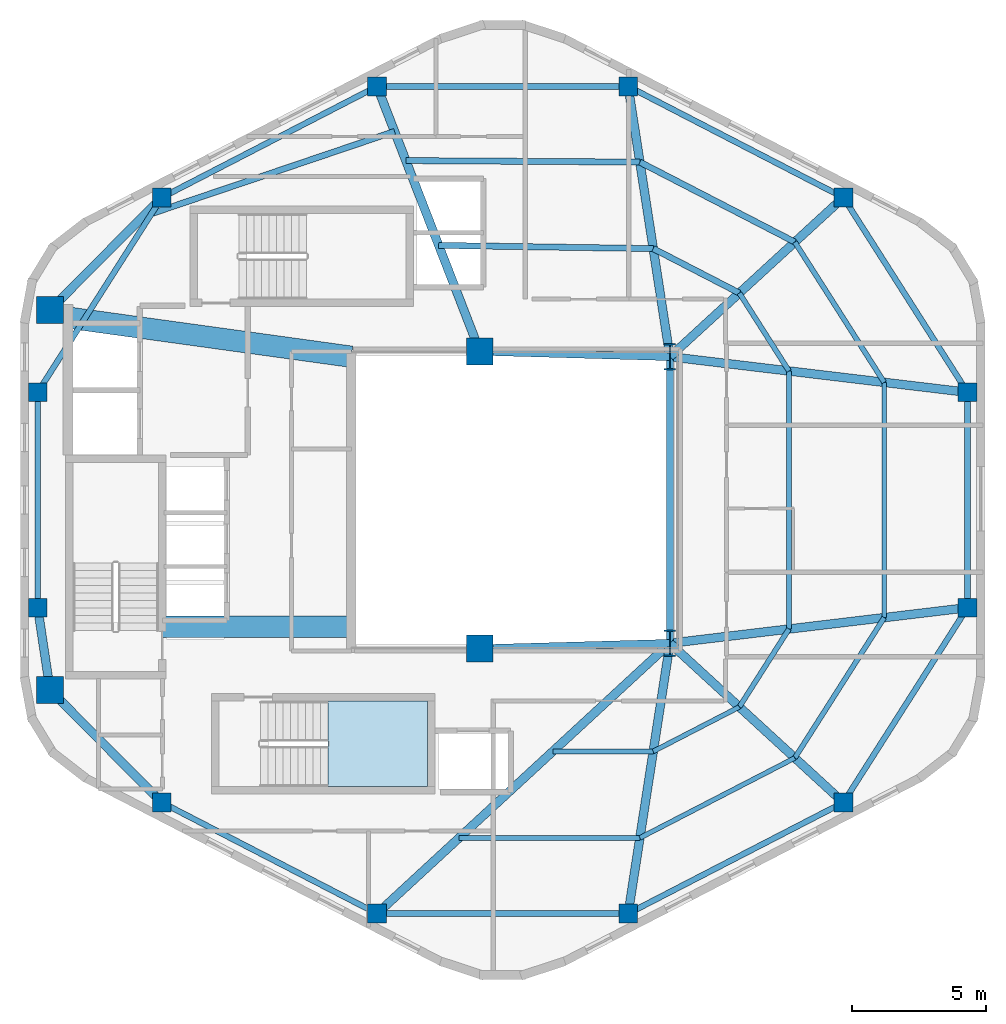
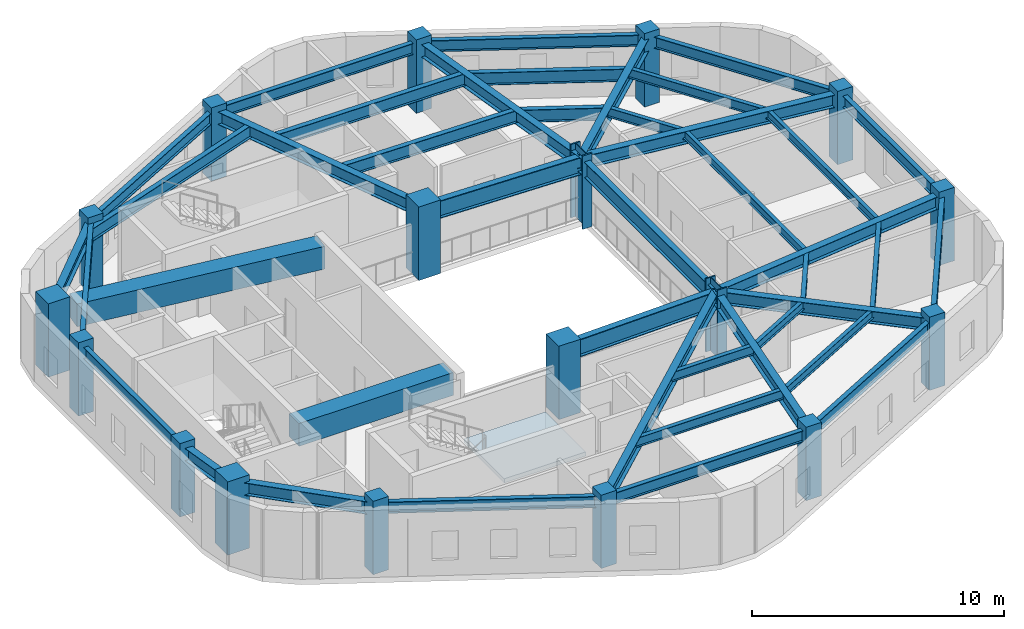
# One storey, part 1 of 6: 42 beams, 18 columns, 1 slab, 1 element without a shape of its own.
"""IFC4 building model written with IfcOpenShell, lengths in metres."""

from ifc_helpers import new_model, si_unit, direction, frame, origin, origin_2d, place, context, subcontext, project, spatial, polyline, rectangle, i_section, outline, extrude, material, layer, layer_set, material_profile, profile_set, type_object, element, aggregate, save


model = new_model("IFC4")

# Units and contexts
model_context = context("Model", 3, precision=1e-05, world=origin(), true_north=direction((0.0, 1.0)))
body_context = subcontext(model_context, "Body", "Model", "MODEL_VIEW")
ifc_project = project(units=[si_unit("LENGTHUNIT", "METRE"), si_unit("AREAUNIT", "SQUARE_METRE"), si_unit("VOLUMEUNIT", "CUBIC_METRE"), si_unit("PLANEANGLEUNIT", "RADIAN"), si_unit("MASSUNIT", "GRAM", prefix="KILO"), si_unit("THERMODYNAMICTEMPERATUREUNIT", "KELVIN"), si_unit("POWERUNIT", "WATT")], contexts=[model_context])

# Site, building, storey
site_placement = place(None, origin())
site = spatial("IfcSite", under=ifc_project, at=site_placement, CompositionType="ELEMENT")
building_placement = place(site_placement, origin())
building = spatial("IfcBuilding", under=site, at=building_placement, Name="Skarre Station Tower", CompositionType="ELEMENT")
storey_placement = place(building_placement, frame((0.0, 0.0, 266.75)))
storey = spatial("IfcBuildingStorey", under=building, at=storey_placement, Name="L73", CompositionType="ELEMENT", Elevation=266.75)

# Columns
ifc_material_1 = material(Name="Concrete C60/75", Category="concrete")
ifc_material_profile_1 = material_profile(ifc_material_1, rectangle(XDim=1.0, YDim=1.0, at=origin_2d()), Name="Concrete C60/75")
ifc_profile_set_1 = profile_set([ifc_material_profile_1], Name="Concrete C60/75")
column_type_1 = type_object("IfcColumnType", Name="RC Structural Column RC-COL-1000X1000", PredefinedType="COLUMN", material=ifc_profile_set_1)
for number, where, z_axis, x_axis, name in (
    (1, (16.300048828125, 16.89990234375, 0.0), (0.0, 0.0, 1.0), (1.0, 0.0, 0.0), "L73 Core Column CC-SW"),
    (2, (16.300048828125, 31.10009765625, 0.0), (0.0, 0.0, 1.0), (1.0, 0.0, 0.0), "L73 Core Column CC-NW"),
    (3, (32.35009765625, 18.449951171875, 0.0), (0.0, 0.0, 1.0), (1.0, 0.0, 0.0), "L73 Core Column CC-SE"),
    (4, (32.35009765625, 29.550048828125, 0.0), (0.0, 0.0, 1.0), (1.0, 0.0, 0.0), "L73 Core Column CC-NE"),
):
    element("IfcColumn", number, at=place(storey_placement, frame(where, z_axis=z_axis, x_axis=x_axis)), inside=storey, type_object=column_type_1, Name=name, PredefinedType="COLUMN", context=body_context, shape_type="SweptSolid", body=[
        extrude(rectangle(XDim=1.0, YDim=1.0, at=origin_2d()), origin(), (0.0, 0.0, 1.0), 3.550048828125),
    ])
ifc_material_2 = material(Name="Concrete C50/60", Category="concrete")
ifc_material_profile_2 = material_profile(ifc_material_2, rectangle(XDim=0.699951171875, YDim=0.699951171875, at=origin_2d()), Name="Concrete C50/60")
ifc_profile_set_2 = profile_set([ifc_material_profile_2], Name="Concrete C50/60")
column_type_2 = type_object("IfcColumnType", Name="RC Structural Column RC-COL-700X700", PredefinedType="COLUMN", material=ifc_profile_set_2)
for number, where, z_axis, x_axis, name in (
    (5, (45.927001953125, 35.298095703125, 0.0), (0.0, 0.0, 1.0), (1.0, 0.0, 0.0), "L73 Zone 4 Perimeter Column F0C1"),
    (6, (37.888916015625, 39.447021484375, 0.0), (0.0, 0.0, 1.0), (1.0, 0.0, 0.0), "L73 Zone 4 Perimeter Column F0C2"),
    (7, (28.510986328125, 39.447021484375, 0.0), (0.0, 0.0, 1.0), (1.0, 0.0, 0.0), "L73 Zone 4 Perimeter Column F1C1"),
    (8, (20.472900390625, 35.298095703125, 0.0), (0.0, 0.0, 1.0), (1.0, 0.0, 0.0), "L73 Zone 4 Perimeter Column F1C2"),
    (9, (15.8369140625, 28.02099609375, 0.0), (0.0, 0.0, 1.0), (1.0, 0.0, 0.0), "L73 Zone 4 Perimeter Column F2C1"),
    (10, (15.8369140625, 19.97900390625, 0.0), (0.0, 0.0, 1.0), (1.0, 0.0, 0.0), "L73 Zone 4 Perimeter Column F2C2"),
    (11, (20.472900390625, 12.701904296875, 0.0), (0.0, 0.0, 1.0), (1.0, 0.0, 0.0), "L73 Zone 4 Perimeter Column F3C1"),
    (12, (28.510986328125, 8.552978515625, 0.0), (0.0, 0.0, 1.0), (1.0, 0.0, 0.0), "L73 Zone 4 Perimeter Column F3C2"),
    (13, (37.888916015625, 8.552978515625, 0.0), (0.0, 0.0, 1.0), (1.0, 0.0, 0.0), "L73 Zone 4 Perimeter Column F4C1"),
    (14, (45.927001953125, 12.701904296875, 0.0), (0.0, 0.0, 1.0), (1.0, 0.0, 0.0), "L73 Zone 4 Perimeter Column F4C2"),
    (15, (50.56298828125, 19.97900390625, 0.0), (0.0, 0.0, 1.0), (1.0, 0.0, 0.0), "L73 Zone 4 Perimeter Column F5C1"),
    (16, (50.56298828125, 28.02099609375, 0.0), (0.0, 0.0, 1.0), (1.0, 0.0, 0.0), "L73 Zone 4 Perimeter Column F5C2"),
):
    element("IfcColumn", number, at=place(storey_placement, frame(where, z_axis=z_axis, x_axis=x_axis)), inside=storey, type_object=column_type_2, Name=name, PredefinedType="COLUMN", context=body_context, shape_type="SweptSolid", body=[
        extrude(rectangle(XDim=0.699951171875, YDim=0.699951171875, at=origin_2d()), origin(), (0.0, 0.0, 1.0), 3.550048828125),
    ])
ifc_material_3 = material(Name="Steel ASTM A913 Grade 65", Category="steel")
ifc_material_profile_3 = material_profile(ifc_material_3, i_section(OverallWidth=0.430908203125, OverallDepth=0.987060546875, WebThickness=0.033935546875, FlangeThickness=0.06201171875, at=origin_2d()), Name="Steel ASTM A913 Grade 65")
ifc_profile_set_3 = profile_set([ifc_material_profile_3], Name="Steel ASTM A913 Grade 65")
column_type_3 = type_object("IfcColumnType", Name="Steel Column W36X441", PredefinedType="COLUMN", material=ifc_profile_set_3)
for number, where, z_axis, x_axis, name in (
    (17, (39.449951171875, 18.64990234375, 0.0), (0.0, 0.0, 1.0), (1.0, 0.0, 0.0), "L73 Atrium Spine Column AC-SE"),
    (18, (39.449951171875, 29.35009765625, 0.0), (0.0, 0.0, 1.0), (1.0, 0.0, 0.0), "L73 Atrium Spine Column AC-NE"),
):
    element("IfcColumn", number, at=place(storey_placement, frame(where, z_axis=z_axis, x_axis=x_axis)), inside=storey, type_object=column_type_3, Name=name, PredefinedType="COLUMN", context=body_context, shape_type="SweptSolid", body=[
        extrude(i_section(OverallWidth=0.430908203125, OverallDepth=0.987060546875, WebThickness=0.033935546875, FlangeThickness=0.06201171875, at=origin_2d()), origin(), (0.0, 0.0, 1.0), 3.550048828125),
    ])

# Beams
ifc_material_4 = material(Name="Concrete C70/85", Category="concrete")
ifc_material_profile_4 = material_profile(ifc_material_4, rectangle(XDim=0.800048828125, YDim=1.10009765625, at=origin_2d()), Name="Concrete C70/85")
ifc_profile_set_4 = profile_set([ifc_material_profile_4], Name="Concrete C70/85")
beam_type_1 = type_object("IfcBeamType", Name="RC Core Coupling Lintel 800x1100", PredefinedType="LINTEL", material=ifc_profile_set_4)
beam_1_placement = place(storey_placement, frame((20.489990234375, 19.260009765625, 2.68994140625), z_axis=(1.0, 0.0, 0.0), x_axis=(0.0, 1.0, 0.0)))
element("IfcBeam", 19, at=beam_1_placement, inside=storey, type_object=beam_type_1, Name="L73 South Core Coupling Lintel", PredefinedType="LINTEL", context=body_context, shape_type="SweptSolid", body=[
    extrude(rectangle(XDim=0.800048828125, YDim=1.10009765625, at=origin_2d()), origin(), (0.0, 0.0, 1.0), 7.06005859375),
])
beam_2_placement = place(storey_placement, frame((17.050048828125, 30.800048828125, 2.68994140625), z_axis=(0.990599723633, -0.136792498109, 0.0), x_axis=(0.136792498109, 0.990599723633, 0.0)))
element("IfcBeam", 20, at=beam_2_placement, inside=storey, type_object=beam_type_1, Name="L73 North Core Coupling Lintel", PredefinedType="LINTEL", context=body_context, shape_type="SweptSolid", body=[
    extrude(rectangle(XDim=0.800048828125, YDim=1.10009765625, at=origin_2d()), origin(), (0.0, 0.0, 1.0), 10.599609375),
])
ifc_material_5 = material(Name="Steel ASTM A992 Grade 50", Category="steel")
ifc_material_profile_5 = material_profile(ifc_material_5, i_section(OverallWidth=0.323974609375, OverallDepth=0.611083984375, WebThickness=0.012939453125, FlangeThickness=0.01904296875, at=origin_2d()), Name="Steel ASTM A992 Grade 50")
ifc_profile_set_5 = profile_set([ifc_material_profile_5], Name="Steel ASTM A992 Grade 50")
beam_type_2 = type_object("IfcBeamType", Name="Steel Beam W24X104", PredefinedType="BEAM", material=ifc_profile_set_5)
beam_3_placement = place(storey_placement, frame((39.449951171875, 29.35009765625, 2.93505859375), z_axis=(0.736547671183, 0.676385635621, 0.0), x_axis=(-0.676385635621, 0.736547671183, 0.0)))
element("IfcBeam", 21, at=beam_3_placement, inside=storey, type_object=beam_type_2, Name="L73 Radial Floor Girder F0C1", PredefinedType="BEAM", context=body_context, shape_type="SweptSolid", body=[
    extrude(i_section(OverallWidth=0.323974609375, OverallDepth=0.611083984375, WebThickness=0.012939453125, FlangeThickness=0.01904296875, at=origin_2d()), origin(), (0.0, 0.0, 1.0), 8.793701171875),
])
beam_4_placement = place(storey_placement, frame((39.449951171875, 29.35009765625, 2.93505859375), z_axis=(-0.152789762931, 0.988258715288, 0.0), x_axis=(-0.988258715288, -0.152789762931, 0.0)))
element("IfcBeam", 22, at=beam_4_placement, inside=storey, type_object=beam_type_2, Name="L73 Radial Floor Girder F0C2", PredefinedType="BEAM", context=body_context, shape_type="SweptSolid", body=[
    extrude(i_section(OverallWidth=0.323974609375, OverallDepth=0.611083984375, WebThickness=0.012939453125, FlangeThickness=0.01904296875, at=origin_2d()), origin(), (0.0, 0.0, 1.0), 10.216796875),
])
beam_5_placement = place(storey_placement, frame((32.35009765625, 29.550048828125, 2.93505859375), z_axis=(-0.361651478681, 0.932313363611, 0.0), x_axis=(-0.932313363611, -0.361651478681, 0.0)))
element("IfcBeam", 23, at=beam_5_placement, inside=storey, type_object=beam_type_2, Name="L73 Radial Floor Girder F1C1", PredefinedType="BEAM", context=body_context, shape_type="SweptSolid", body=[
    extrude(i_section(OverallWidth=0.323974609375, OverallDepth=0.611083984375, WebThickness=0.012939453125, FlangeThickness=0.01904296875, at=origin_2d()), origin(), (0.0, 0.0, 1.0), 10.615478515625),
])
beam_6_placement = place(storey_placement, frame((16.300048828125, 31.10009765625, 2.93505859375), z_axis=(0.704979413242, 0.709227768002, 0.0), x_axis=(-0.709227768002, 0.704979413242, 0.0)))
element("IfcBeam", 24, at=beam_6_placement, inside=storey, type_object=beam_type_2, Name="L73 Radial Floor Girder F1C2", PredefinedType="BEAM", context=body_context, shape_type="SweptSolid", body=[
    extrude(i_section(OverallWidth=0.323974609375, OverallDepth=0.611083984375, WebThickness=0.012939453125, FlangeThickness=0.01904296875, at=origin_2d()), origin(), (0.0, 0.0, 1.0), 5.919189453125),
])
beam_7_placement = place(storey_placement, frame((16.300048828125, 16.89990234375, 2.93505859375), z_axis=(-0.148739188492, 0.988876460336, 0.0), x_axis=(-0.988876460336, -0.148739188492, 0.0)))
element("IfcBeam", 25, at=beam_7_placement, inside=storey, type_object=beam_type_2, Name="L73 Radial Floor Girder F2C2", PredefinedType="BEAM", context=body_context, shape_type="SweptSolid", body=[
    extrude(i_section(OverallWidth=0.323974609375, OverallDepth=0.611083984375, WebThickness=0.012939453125, FlangeThickness=0.01904296875, at=origin_2d()), origin(), (0.0, 0.0, 1.0), 3.11376953125),
])
beam_8_placement = place(storey_placement, frame((16.300048828125, 16.89990234375, 2.93505859375), z_axis=(0.704979413242, -0.709227768002, 0.0), x_axis=(0.709227768002, 0.704979413242, 0.0)))
element("IfcBeam", 26, at=beam_8_placement, inside=storey, type_object=beam_type_2, Name="L73 Radial Floor Girder F3C1", PredefinedType="BEAM", context=body_context, shape_type="SweptSolid", body=[
    extrude(i_section(OverallWidth=0.323974609375, OverallDepth=0.611083984375, WebThickness=0.012939453125, FlangeThickness=0.01904296875, at=origin_2d()), origin(), (0.0, 0.0, 1.0), 5.919189453125),
])
beam_9_placement = place(storey_placement, frame((39.449951171875, 18.64990234375, 2.93505859375), z_axis=(-0.734822935818, -0.678258986668, 0.0), x_axis=(0.678258986668, -0.734822935818, 0.0)))
element("IfcBeam", 27, at=beam_9_placement, inside=storey, type_object=beam_type_2, Name="L73 Radial Floor Girder F3C2", PredefinedType="BEAM", context=body_context, shape_type="SweptSolid", body=[
    extrude(i_section(OverallWidth=0.323974609375, OverallDepth=0.611083984375, WebThickness=0.012939453125, FlangeThickness=0.01904296875, at=origin_2d()), origin(), (0.0, 0.0, 1.0), 14.886474609375),
])
beam_10_placement = place(storey_placement, frame((39.449951171875, 18.64990234375, 2.93505859375), z_axis=(-0.152789762931, -0.988258715288, 0.0), x_axis=(0.988258715288, -0.152789762931, 0.0)))
element("IfcBeam", 28, at=beam_10_placement, inside=storey, type_object=beam_type_2, Name="L73 Radial Floor Girder F4C1", PredefinedType="BEAM", context=body_context, shape_type="SweptSolid", body=[
    extrude(i_section(OverallWidth=0.323974609375, OverallDepth=0.611083984375, WebThickness=0.012939453125, FlangeThickness=0.01904296875, at=origin_2d()), origin(), (0.0, 0.0, 1.0), 10.216796875),
])
beam_11_placement = place(storey_placement, frame((39.449951171875, 18.64990234375, 2.93505859375), z_axis=(0.736547671183, -0.676385635621, 0.0), x_axis=(0.676385635621, 0.736547671183, 0.0)))
element("IfcBeam", 29, at=beam_11_placement, inside=storey, type_object=beam_type_2, Name="L73 Radial Floor Girder F4C2", PredefinedType="BEAM", context=body_context, shape_type="SweptSolid", body=[
    extrude(i_section(OverallWidth=0.323974609375, OverallDepth=0.611083984375, WebThickness=0.012939453125, FlangeThickness=0.01904296875, at=origin_2d()), origin(), (0.0, 0.0, 1.0), 8.793701171875),
])
for number, where, z_axis, x_axis, name in (
    (30, (39.449951171875, 18.64990234375, 2.93505859375), (0.99292393128, 0.118752122891, 0.0), (-0.118752122891, 0.99292393128, 0.0), "L73 Radial Floor Girder F5C1"),
    (31, (39.449951171875, 29.35009765625, 2.93505859375), (0.99292393128, -0.118752122891, 0.0), (0.118752122891, 0.99292393128, 0.0), "L73 Radial Floor Girder F5C2"),
):
    element("IfcBeam", number, at=place(storey_placement, frame(where, z_axis=z_axis, x_axis=x_axis)), inside=storey, type_object=beam_type_2, Name=name, PredefinedType="BEAM", context=body_context, shape_type="SweptSolid", body=[
        extrude(i_section(OverallWidth=0.323974609375, OverallDepth=0.611083984375, WebThickness=0.012939453125, FlangeThickness=0.01904296875, at=origin_2d()), origin(), (0.0, 0.0, 1.0), 11.192138671875),
    ])
ifc_material_profile_6 = material_profile(ifc_material_5, i_section(OverallWidth=0.26806640625, OverallDepth=0.77001953125, WebThickness=0.01611328125, FlangeThickness=0.02490234375, at=origin_2d()), Name="Steel ASTM A992 Grade 50")
ifc_profile_set_6 = profile_set([ifc_material_profile_6], Name="Steel ASTM A992 Grade 50")
beam_type_3 = type_object("IfcBeamType", Name="Steel Beam W30X132", PredefinedType="BEAM", material=ifc_profile_set_6)
beam_12_placement = place(storey_placement, frame((39.449951171875, 18.64990234375, 2.85498046875), z_axis=(0.0, 1.0, 0.0), x_axis=(-1.0, 0.0, 0.0)))
element("IfcBeam", 32, at=beam_12_placement, inside=storey, type_object=beam_type_3, Name="L73 Atrium East Edge Girder", PredefinedType="BEAM", context=body_context, shape_type="SweptSolid", body=[
    extrude(i_section(OverallWidth=0.26806640625, OverallDepth=0.77001953125, WebThickness=0.01611328125, FlangeThickness=0.02490234375, at=origin_2d()), origin(), (0.0, 0.0, 1.0), 10.7001953125),
])
ifc_material_profile_7 = material_profile(ifc_material_5, i_section(OverallWidth=0.2919921875, OverallDepth=0.85888671875, WebThickness=0.01708984375, FlangeThickness=0.031005859375, at=origin_2d()), Name="Steel ASTM A992 Grade 50")
ifc_profile_set_7 = profile_set([ifc_material_profile_7], Name="Steel ASTM A992 Grade 50")
beam_type_4 = type_object("IfcBeamType", Name="Steel Beam W33X169", PredefinedType="BEAM", material=ifc_profile_set_7)
for number, where, z_axis, x_axis, name in (
    (33, (32.35009765625, 18.449951171875, 2.81005859375), (0.999603666405, 0.028151556095, 0.0), (-0.028151556095, 0.999603666405, 0.0), "L73 Atrium South Edge Girder"),
    (34, (32.35009765625, 29.550048828125, 2.81005859375), (0.999603666405, -0.028151556095, 0.0), (0.028151556095, 0.999603666405, 0.0), "L73 Atrium North Edge Girder"),
):
    element("IfcBeam", number, at=place(storey_placement, frame(where, z_axis=z_axis, x_axis=x_axis)), inside=storey, type_object=beam_type_4, Name=name, PredefinedType="BEAM", context=body_context, shape_type="SweptSolid", body=[
        extrude(i_section(OverallWidth=0.2919921875, OverallDepth=0.85888671875, WebThickness=0.01708984375, FlangeThickness=0.031005859375, at=origin_2d()), origin(), (0.0, 0.0, 1.0), 7.102783203125),
    ])
ifc_material_profile_8 = material_profile(ifc_material_5, i_section(OverallWidth=0.177978515625, OverallDepth=0.403076171875, WebThickness=0.008056640625, FlangeThickness=0.010986328125, at=origin_2d()), Name="Steel ASTM A992 Grade 50")
ifc_profile_set_8 = profile_set([ifc_material_profile_8], Name="Steel ASTM A992 Grade 50")
beam_type_5 = type_object("IfcBeamType", Name="Steel Joist W16X36", PredefinedType="JOIST", material=ifc_profile_set_8)
beam_13_placement = place(storey_placement, frame((38.825927734375, 14.611083984375, 3.0380859375), z_axis=(0.888562989562, 0.458754633308, 0.0), x_axis=(-0.458754633308, 0.888562989562, 0.0)))
element("IfcBeam", 35, at=beam_13_placement, inside=storey, type_object=beam_type_5, Name="L73 Auxiliary Composite Joist 11", PredefinedType="JOIST", context=body_context, shape_type="SweptSolid", body=[
    extrude(i_section(OverallWidth=0.177978515625, OverallDepth=0.403076171875, WebThickness=0.008056640625, FlangeThickness=0.010986328125, at=origin_2d()), origin(), (0.0, 0.0, 1.0), 3.618408203125),
])
beam_14_placement = place(storey_placement, frame((38.325927734375, 11.3798828125, 3.0380859375), z_axis=(0.888610306875, 0.458662972689, 0.0), x_axis=(-0.458662972689, 0.888610306875, 0.0)))
element("IfcBeam", 36, at=beam_14_placement, inside=storey, type_object=beam_type_5, Name="L73 Auxiliary Composite Joist 12", PredefinedType="JOIST", context=body_context, shape_type="SweptSolid", body=[
    extrude(i_section(OverallWidth=0.177978515625, OverallDepth=0.403076171875, WebThickness=0.008056640625, FlangeThickness=0.010986328125, at=origin_2d()), origin(), (0.0, 0.0, 1.0), 6.512451171875),
])
beam_15_placement = place(storey_placement, frame((43.89501953125, 19.181884765625, 3.0380859375), z_axis=(0.0, 1.0, 0.0), x_axis=(-1.0, 0.0, 0.0)))
element("IfcBeam", 37, at=beam_15_placement, inside=storey, type_object=beam_type_5, Name="L73 Auxiliary Composite Joist 15", PredefinedType="JOIST", context=body_context, shape_type="SweptSolid", body=[
    extrude(i_section(OverallWidth=0.177978515625, OverallDepth=0.403076171875, WebThickness=0.008056640625, FlangeThickness=0.010986328125, at=origin_2d()), origin(), (0.0, 0.0, 1.0), 9.63623046875),
])
beam_16_placement = place(storey_placement, frame((47.450927734375, 19.60693359375, 3.0380859375), z_axis=(0.0, 1.0, 0.0), x_axis=(-1.0, 0.0, 0.0)))
element("IfcBeam", 38, at=beam_16_placement, inside=storey, type_object=beam_type_5, Name="L73 Auxiliary Composite Joist 16", PredefinedType="JOIST", context=body_context, shape_type="SweptSolid", body=[
    extrude(i_section(OverallWidth=0.177978515625, OverallDepth=0.403076171875, WebThickness=0.008056640625, FlangeThickness=0.010986328125, at=origin_2d()), origin(), (0.0, 0.0, 1.0), 8.7861328125),
])
ifc_material_profile_9 = material_profile(ifc_material_5, i_section(OverallWidth=0.19091796875, OverallDepth=0.45703125, WebThickness=0.009033203125, FlangeThickness=0.013916015625, at=origin_2d()), Name="Steel ASTM A992 Grade 50")
ifc_profile_set_9 = profile_set([ifc_material_profile_9], Name="Steel ASTM A992 Grade 50")
beam_type_6 = type_object("IfcBeamType", Name="Steel Joist W18X50", PredefinedType="JOIST", material=ifc_profile_set_9)
beam_17_placement = place(storey_placement, frame((35.073974609375, 14.611083984375, 3.011962890625), z_axis=(1.0, 0.0, 0.0), x_axis=(0.0, 1.0, 0.0)))
element("IfcBeam", 39, at=beam_17_placement, inside=storey, type_object=beam_type_6, Name="L73 Auxiliary Composite Joist 9", PredefinedType="JOIST", context=body_context, shape_type="SweptSolid", body=[
    extrude(i_section(OverallWidth=0.19091796875, OverallDepth=0.45703125, WebThickness=0.009033203125, FlangeThickness=0.013916015625, at=origin_2d()), origin(), (0.0, 0.0, 1.0), 3.751953125),
])
beam_18_placement = place(storey_placement, frame((31.573974609375, 11.3798828125, 3.011962890625), z_axis=(1.0, 0.0, 0.0), x_axis=(0.0, 1.0, 0.0)))
element("IfcBeam", 40, at=beam_18_placement, inside=storey, type_object=beam_type_6, Name="L73 Auxiliary Composite Joist 10", PredefinedType="JOIST", context=body_context, shape_type="SweptSolid", body=[
    extrude(i_section(OverallWidth=0.19091796875, OverallDepth=0.45703125, WebThickness=0.009033203125, FlangeThickness=0.013916015625, at=origin_2d()), origin(), (0.0, 0.0, 1.0), 6.751953125),
])
beam_19_placement = place(storey_placement, frame((42.041015625, 16.27099609375, 3.011962890625), z_axis=(0.537209598798, 0.843448781468, 0.0), x_axis=(-0.843448781468, 0.537209598798, 0.0)))
element("IfcBeam", 41, at=beam_19_placement, inside=storey, type_object=beam_type_6, Name="L73 Auxiliary Composite Joist 13", PredefinedType="JOIST", context=body_context, shape_type="SweptSolid", body=[
    extrude(i_section(OverallWidth=0.19091796875, OverallDepth=0.45703125, WebThickness=0.009033203125, FlangeThickness=0.013916015625, at=origin_2d()), origin(), (0.0, 0.0, 1.0), 3.451171875),
])
beam_20_placement = place(storey_placement, frame((44.113037109375, 14.366943359375, 3.011962890625), z_axis=(0.537259384828, 0.843417069672, 0.0), x_axis=(-0.843417069672, 0.537259384828, 0.0)))
element("IfcBeam", 42, at=beam_20_placement, inside=storey, type_object=beam_type_6, Name="L73 Auxiliary Composite Joist 14", PredefinedType="JOIST", context=body_context, shape_type="SweptSolid", body=[
    extrude(i_section(OverallWidth=0.19091796875, OverallDepth=0.45703125, WebThickness=0.009033203125, FlangeThickness=0.013916015625, at=origin_2d()), origin(), (0.0, 0.0, 1.0), 6.212890625),
])
beam_21_placement = place(storey_placement, frame((43.89501953125, 28.818115234375, 3.011962890625), z_axis=(-0.537209598798, 0.843448781468, 0.0), x_axis=(-0.843448781468, -0.537209598798, 0.0)))
element("IfcBeam", 43, at=beam_21_placement, inside=storey, type_object=beam_type_6, Name="L73 Auxiliary Composite Joist 17", PredefinedType="JOIST", context=body_context, shape_type="SweptSolid", body=[
    extrude(i_section(OverallWidth=0.19091796875, OverallDepth=0.45703125, WebThickness=0.009033203125, FlangeThickness=0.013916015625, at=origin_2d()), origin(), (0.0, 0.0, 1.0), 3.451171875),
])
beam_22_placement = place(storey_placement, frame((47.450927734375, 28.39306640625, 3.011962890625), z_axis=(-0.537259384828, 0.843417069672, 0.0), x_axis=(-0.843417069672, -0.537259384828, 0.0)))
element("IfcBeam", 44, at=beam_22_placement, inside=storey, type_object=beam_type_6, Name="L73 Auxiliary Composite Joist 18", PredefinedType="JOIST", context=body_context, shape_type="SweptSolid", body=[
    extrude(i_section(OverallWidth=0.19091796875, OverallDepth=0.45703125, WebThickness=0.009033203125, FlangeThickness=0.013916015625, at=origin_2d()), origin(), (0.0, 0.0, 1.0), 6.212890625),
])
ifc_material_profile_10 = material_profile(ifc_material_5, i_section(OverallWidth=0.22802734375, OverallDepth=0.60791015625, WebThickness=0.010986328125, FlangeThickness=0.01708984375, at=origin_2d()), Name="Steel ASTM A992 Grade 50")
ifc_profile_set_10 = profile_set([ifc_material_profile_10], Name="Steel ASTM A992 Grade 50")
beam_type_7 = type_object("IfcBeamType", Name="Steel Joist W24X76", PredefinedType="JOIST", material=ifc_profile_set_10)
beam_23_placement = place(storey_placement, frame((42.041015625, 31.72900390625, 2.93603515625), z_axis=(-0.888562989562, 0.458754633308, 0.0), x_axis=(-0.458754633308, -0.888562989562, 0.0)))
element("IfcBeam", 45, at=beam_23_placement, inside=storey, type_object=beam_type_7, Name="L73 Secondary Floor Joist 1", PredefinedType="JOIST", context=body_context, shape_type="SweptSolid", body=[
    extrude(i_section(OverallWidth=0.22802734375, OverallDepth=0.60791015625, WebThickness=0.010986328125, FlangeThickness=0.01708984375, at=origin_2d()), origin(), (0.0, 0.0, 1.0), 3.618408203125),
])
beam_24_placement = place(storey_placement, frame((44.113037109375, 33.633056640625, 2.93603515625), z_axis=(-0.888610306875, 0.458662972689, 0.0), x_axis=(-0.458662972689, -0.888610306875, 0.0)))
element("IfcBeam", 46, at=beam_24_placement, inside=storey, type_object=beam_type_7, Name="L73 Secondary Floor Joist 2", PredefinedType="JOIST", context=body_context, shape_type="SweptSolid", body=[
    extrude(i_section(OverallWidth=0.22802734375, OverallDepth=0.60791015625, WebThickness=0.010986328125, FlangeThickness=0.01708984375, at=origin_2d()), origin(), (0.0, 0.0, 1.0), 6.512451171875),
])
beam_25_placement = place(storey_placement, frame((38.825927734375, 33.388916015625, 2.93603515625), z_axis=(-0.999887635467, 0.014990545042, 0.0), x_axis=(-0.014990545042, -0.999887635467, 0.0)))
element("IfcBeam", 47, at=beam_25_placement, inside=storey, type_object=beam_type_7, Name="L73 Secondary Floor Joist 3", PredefinedType="JOIST", context=body_context, shape_type="SweptSolid", body=[
    extrude(i_section(OverallWidth=0.22802734375, OverallDepth=0.60791015625, WebThickness=0.010986328125, FlangeThickness=0.01708984375, at=origin_2d()), origin(), (0.0, 0.0, 1.0), 8.012939453125),
])
beam_26_placement = place(storey_placement, frame((38.325927734375, 36.6201171875, 2.93603515625), z_axis=(-0.999979540932, 0.006396695854, 0.0), x_axis=(-0.006396695854, -0.999979540932, 0.0)))
element("IfcBeam", 48, at=beam_26_placement, inside=storey, type_object=beam_type_7, Name="L73 Secondary Floor Joist 4", PredefinedType="JOIST", context=body_context, shape_type="SweptSolid", body=[
    extrude(i_section(OverallWidth=0.22802734375, OverallDepth=0.60791015625, WebThickness=0.010986328125, FlangeThickness=0.01708984375, at=origin_2d()), origin(), (0.0, 0.0, 1.0), 8.740234375),
])
beam_27_placement = place(storey_placement, frame((29.1640625, 37.764892578125, 2.93603515625), z_axis=(-0.947236771085, -0.320534708736, 0.0), x_axis=(0.320534708736, -0.947236771085, 0.0)))
element("IfcBeam", 49, at=beam_27_placement, inside=storey, type_object=beam_type_7, Name="L73 Secondary Floor Joist 6", PredefinedType="JOIST", context=body_context, shape_type="SweptSolid", body=[
    extrude(i_section(OverallWidth=0.22802734375, OverallDepth=0.60791015625, WebThickness=0.010986328125, FlangeThickness=0.01708984375, at=origin_2d()), origin(), (0.0, 0.0, 1.0), 9.923828125),
])
ifc_material_profile_11 = material_profile(ifc_material_5, i_section(OverallWidth=0.214111328125, OverallDepth=0.549072265625, WebThickness=0.014892578125, FlangeThickness=0.02392578125, at=origin_2d()), Name="Steel ASTM A992 Grade 50")
ifc_profile_set_11 = profile_set([ifc_material_profile_11], Name="Steel ASTM A992 Grade 50")
beam_type_8 = type_object("IfcBeamType", Name="Steel Spandrel W21X93", PredefinedType="SPANDREL", material=ifc_profile_set_11)
beam_28_placement = place(storey_placement, frame((45.927001953125, 35.298095703125, 2.966064453125), z_axis=(-0.888610011727, 0.458663544505, 0.0), x_axis=(-0.458663544505, -0.888610011727, 0.0)))
element("IfcBeam", 50, at=beam_28_placement, inside=storey, type_object=beam_type_8, Name="L73 Facet Spandrel Beam 1", PredefinedType="SPANDREL", context=body_context, shape_type="SweptSolid", body=[
    extrude(i_section(OverallWidth=0.214111328125, OverallDepth=0.549072265625, WebThickness=0.014892578125, FlangeThickness=0.02392578125, at=origin_2d()), origin(), (0.0, 0.0, 1.0), 9.045654296875),
])
beam_29_placement = place(storey_placement, frame((37.888916015625, 39.447021484375, 2.966064453125), z_axis=(-1.0, 0.0, 0.0), x_axis=(0.0, -1.0, 0.0)))
element("IfcBeam", 51, at=beam_29_placement, inside=storey, type_object=beam_type_8, Name="L73 Facet Spandrel Beam 2", PredefinedType="SPANDREL", context=body_context, shape_type="SweptSolid", body=[
    extrude(i_section(OverallWidth=0.214111328125, OverallDepth=0.549072265625, WebThickness=0.014892578125, FlangeThickness=0.02392578125, at=origin_2d()), origin(), (0.0, 0.0, 1.0), 9.3779296875),
])
beam_30_placement = place(storey_placement, frame((28.510986328125, 39.447021484375, 2.966064453125), z_axis=(-0.888610011727, -0.458663544505, 0.0), x_axis=(0.458663544505, -0.888610011727, 0.0)))
element("IfcBeam", 52, at=beam_30_placement, inside=storey, type_object=beam_type_8, Name="L73 Facet Spandrel Beam 3", PredefinedType="SPANDREL", context=body_context, shape_type="SweptSolid", body=[
    extrude(i_section(OverallWidth=0.214111328125, OverallDepth=0.549072265625, WebThickness=0.014892578125, FlangeThickness=0.02392578125, at=origin_2d()), origin(), (0.0, 0.0, 1.0), 9.045654296875),
])
beam_31_placement = place(storey_placement, frame((20.472900390625, 35.298095703125, 2.966064453125), z_axis=(-0.537296523663, -0.843393410965, 0.0), x_axis=(0.843393410965, -0.537296523663, 0.0)))
element("IfcBeam", 53, at=beam_31_placement, inside=storey, type_object=beam_type_8, Name="L73 Facet Spandrel Beam 4", PredefinedType="SPANDREL", context=body_context, shape_type="SweptSolid", body=[
    extrude(i_section(OverallWidth=0.214111328125, OverallDepth=0.549072265625, WebThickness=0.014892578125, FlangeThickness=0.02392578125, at=origin_2d()), origin(), (0.0, 0.0, 1.0), 8.62841796875),
])
beam_32_placement = place(storey_placement, frame((15.8369140625, 28.02099609375, 2.966064453125), z_axis=(0.0, -1.0, 0.0), x_axis=(1.0, 0.0, 0.0)))
element("IfcBeam", 54, at=beam_32_placement, inside=storey, type_object=beam_type_8, Name="L73 Facet Spandrel Beam 5", PredefinedType="SPANDREL", context=body_context, shape_type="SweptSolid", body=[
    extrude(i_section(OverallWidth=0.214111328125, OverallDepth=0.549072265625, WebThickness=0.014892578125, FlangeThickness=0.02392578125, at=origin_2d()), origin(), (0.0, 0.0, 1.0), 8.0419921875),
])
beam_33_placement = place(storey_placement, frame((20.472900390625, 12.701904296875, 2.966064453125), z_axis=(0.888610011727, -0.458663544505, 0.0), x_axis=(0.458663544505, 0.888610011727, 0.0)))
element("IfcBeam", 55, at=beam_33_placement, inside=storey, type_object=beam_type_8, Name="L73 Facet Spandrel Beam 7", PredefinedType="SPANDREL", context=body_context, shape_type="SweptSolid", body=[
    extrude(i_section(OverallWidth=0.214111328125, OverallDepth=0.549072265625, WebThickness=0.014892578125, FlangeThickness=0.02392578125, at=origin_2d()), origin(), (0.0, 0.0, 1.0), 9.045654296875),
])
beam_34_placement = place(storey_placement, frame((28.510986328125, 8.552978515625, 2.966064453125), z_axis=(1.0, 0.0, 0.0), x_axis=(0.0, 1.0, 0.0)))
element("IfcBeam", 56, at=beam_34_placement, inside=storey, type_object=beam_type_8, Name="L73 Facet Spandrel Beam 8", PredefinedType="SPANDREL", context=body_context, shape_type="SweptSolid", body=[
    extrude(i_section(OverallWidth=0.214111328125, OverallDepth=0.549072265625, WebThickness=0.014892578125, FlangeThickness=0.02392578125, at=origin_2d()), origin(), (0.0, 0.0, 1.0), 9.3779296875),
])
beam_35_placement = place(storey_placement, frame((37.888916015625, 8.552978515625, 2.966064453125), z_axis=(0.888610011727, 0.458663544505, 0.0), x_axis=(-0.458663544505, 0.888610011727, 0.0)))
element("IfcBeam", 57, at=beam_35_placement, inside=storey, type_object=beam_type_8, Name="L73 Facet Spandrel Beam 9", PredefinedType="SPANDREL", context=body_context, shape_type="SweptSolid", body=[
    extrude(i_section(OverallWidth=0.214111328125, OverallDepth=0.549072265625, WebThickness=0.014892578125, FlangeThickness=0.02392578125, at=origin_2d()), origin(), (0.0, 0.0, 1.0), 9.045654296875),
])
beam_36_placement = place(storey_placement, frame((45.927001953125, 12.701904296875, 2.966064453125), z_axis=(0.537296523663, 0.843393410965, 0.0), x_axis=(-0.843393410965, 0.537296523663, 0.0)))
element("IfcBeam", 58, at=beam_36_placement, inside=storey, type_object=beam_type_8, Name="L73 Facet Spandrel Beam 10", PredefinedType="SPANDREL", context=body_context, shape_type="SweptSolid", body=[
    extrude(i_section(OverallWidth=0.214111328125, OverallDepth=0.549072265625, WebThickness=0.014892578125, FlangeThickness=0.02392578125, at=origin_2d()), origin(), (0.0, 0.0, 1.0), 8.62841796875),
])
beam_37_placement = place(storey_placement, frame((50.56298828125, 19.97900390625, 2.966064453125), z_axis=(0.0, 1.0, 0.0), x_axis=(-1.0, 0.0, 0.0)))
element("IfcBeam", 59, at=beam_37_placement, inside=storey, type_object=beam_type_8, Name="L73 Facet Spandrel Beam 11", PredefinedType="SPANDREL", context=body_context, shape_type="SweptSolid", body=[
    extrude(i_section(OverallWidth=0.214111328125, OverallDepth=0.549072265625, WebThickness=0.014892578125, FlangeThickness=0.02392578125, at=origin_2d()), origin(), (0.0, 0.0, 1.0), 8.0419921875),
])
beam_38_placement = place(storey_placement, frame((50.56298828125, 28.02099609375, 2.966064453125), z_axis=(-0.537296523663, 0.843393410965, 0.0), x_axis=(-0.843393410965, -0.537296523663, 0.0)))
element("IfcBeam", 60, at=beam_38_placement, inside=storey, type_object=beam_type_8, Name="L73 Facet Spandrel Beam 12", PredefinedType="SPANDREL", context=body_context, shape_type="SweptSolid", body=[
    extrude(i_section(OverallWidth=0.214111328125, OverallDepth=0.549072265625, WebThickness=0.014892578125, FlangeThickness=0.02392578125, at=origin_2d()), origin(), (0.0, 0.0, 1.0), 8.62841796875),
])

# Stair, slab
ifc_material_6 = material(Name="Concrete C40/50", Category="concrete")
stair_type = type_object("IfcStairType", Name="Reinforced Concrete Exit Stair ST-2", PredefinedType="HALF_TURN_STAIR", material=ifc_material_6)
stair_placement = place(storey_placement, origin())
stair = element("IfcStair", 61, at=stair_placement, inside=storey, type_object=stair_type, Name="L73 Core Exit Stair ST-2", PredefinedType="HALF_TURN_STAIR")
ifc_layer = layer(ifc_material_6, 0.219970703125, Name="Concrete C40/50")
ifc_layer_set = layer_set([ifc_layer], Name="Concrete C40/50")
slab_type = type_object("IfcSlabType", Name="Reinforced Concrete Stair & Ramp Landing 220", PredefinedType="LANDING", material=ifc_layer_set)
slab_placement = place(storey_placement, frame((0.0, 0.0, 1.574951171875)))
slab = element("IfcSlab", 62, at=slab_placement, type_object=slab_type, Name="ST-2 landing 1", PredefinedType="LANDING", context=body_context, shape_type="SweptSolid", body=[
    extrude(outline(polyline([(26.669921875, 13.300048828125), (30.39990234375, 13.300048828125), (30.39990234375, 16.5), (26.669921875, 16.5), (26.669921875, 13.300048828125)])), origin(), (0.0, 0.0, 1.0), 0.199951171875),
])
aggregate(stair, [slab])

save(model, "model.ifc")
